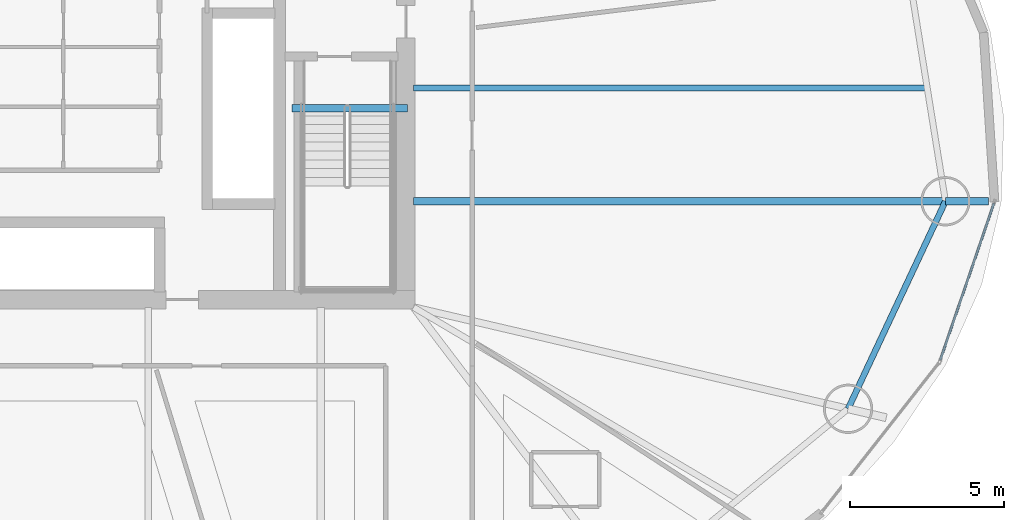
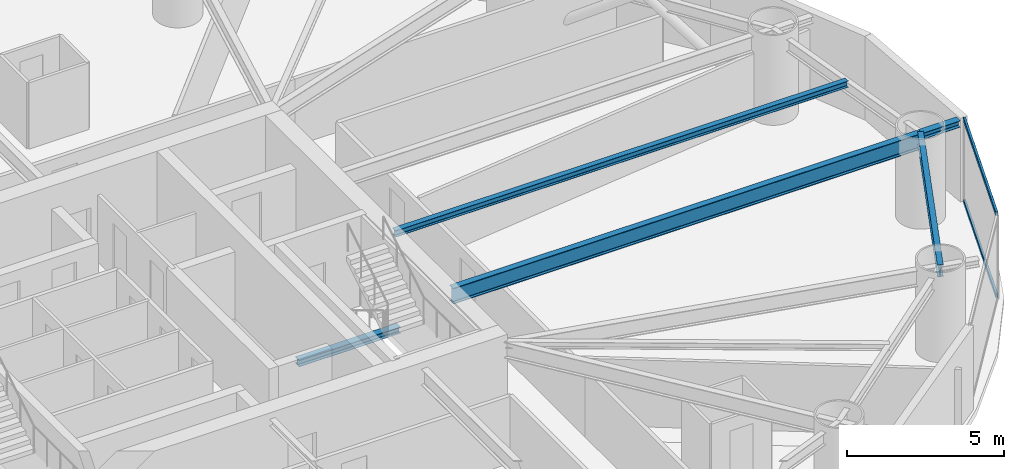
# One storey, part 8 of 23: 5 beams, 2 members, 1 element without a shape of its own.
"""IFC4 building model written with IfcOpenShell, lengths in metres."""

import ifcopenshell
import ifcopenshell.guid

model = None  # the IFC model being written
_history = None  # IfcOwnerHistory: only IFC2X3 demands one
_inside = {}  # id of a spatial element -> (the spatial element, [elements in it])
_under = {}  # id of a project, library or spatial element -> (it, [spatial elements below it])
_declared = {}  # id of a project -> (the project, [libraries it declares])
_typed = {}  # id of a type object -> (the type object, [elements of that type])
_made_of = {}  # id of a material, layer set ... -> (it, [elements and type objects made of it])


def new_model(schema):
    """Start an empty IFC model of exactly this schema.

    Asked for "IFC4X3", IfcOpenShell would pick the latest addendum, in which some entities
    have other attributes; the version numbers below select the first issue.
    IFC2X3 requires an IfcOwnerHistory on every rooted entity: one is made here for all.
    """
    global model, _history
    if schema == "IFC4X3":
        model = ifcopenshell.file(schema_version=(4, 3, 0, 0))
    else:
        model = ifcopenshell.file(schema=schema)
    _inside.clear()
    _under.clear()
    _declared.clear()
    _typed.clear()
    _made_of.clear()
    _history = None
    if model.schema == "IFC2X3":
        org = make("IfcOrganization", Name="unknown")
        user = make(
            "IfcPersonAndOrganization",
            ThePerson=make("IfcPerson", FamilyName="unknown"),
            TheOrganization=org,
        )
        app = make(
            "IfcApplication",
            ApplicationDeveloper=org,
            Version="unknown",
            ApplicationFullName="unknown",
            ApplicationIdentifier="unknown",
        )
        _history = make(
            "IfcOwnerHistory",
            OwningUser=user,
            OwningApplication=app,
            ChangeAction="ADDED",
            CreationDate=0,
        )
    return model


def make(cls, **values):
    """One entity of the class cls with the attributes given. An attribute that is None is left unset."""
    return model.create_entity(
        cls, **{name: value for name, value in values.items() if value is not None}
    )


def rooted(cls, **values):
    """An entity with a GlobalId (a new one), such as an element, a storey or a relation."""
    return make(cls, GlobalId=ifcopenshell.guid.new(), OwnerHistory=_history, **values)


def si_unit(unit_type, name, prefix=None):
    """IfcSIUnit, for example si_unit("LENGTHUNIT", "METRE", prefix="MILLI")."""
    return make("IfcSIUnit", UnitType=unit_type, Prefix=prefix, Name=name)


def assignment(units):
    """IfcUnitAssignment: the units of a project."""
    return None if units is None else make("IfcUnitAssignment", Units=units)


def point(xyz):
    """IfcCartesianPoint."""
    return None if xyz is None else make("IfcCartesianPoint", Coordinates=xyz)


def direction(xyz):
    """IfcDirection."""
    return None if xyz is None else make("IfcDirection", DirectionRatios=xyz)


def frame(location, z_axis=None, x_axis=None):
    """IfcAxis2Placement3D, a coordinate frame: its origin and axes. An axis left out is left unset."""
    return make(
        "IfcAxis2Placement3D",
        Location=point(location),
        Axis=direction(z_axis),
        RefDirection=direction(x_axis),
    )


def frame_2d(location, x_axis=None):
    """IfcAxis2Placement2D, a coordinate frame in the plane: its origin and x axis."""
    return make(
        "IfcAxis2Placement2D", Location=point(location), RefDirection=direction(x_axis)
    )


def origin():
    """The frame at (0, 0, 0) with its axes left unset."""
    return frame((0.0, 0.0, 0.0))


def origin_2d():
    """The frame at (0, 0) in the plane with its x axis left unset."""
    return frame_2d((0.0, 0.0))


def place(relative_to, where):
    """IfcLocalPlacement: puts the frame where relative to a parent placement (None: the world)."""
    return make(
        "IfcLocalPlacement", PlacementRelTo=relative_to, RelativePlacement=where
    )


def context(
    kind, dimensions, precision=None, world=None, true_north=None, identifier=None
):
    """IfcGeometricRepresentationContext, for example the 3D "Model" context."""
    return make(
        "IfcGeometricRepresentationContext",
        ContextIdentifier=identifier,
        ContextType=kind,
        CoordinateSpaceDimension=dimensions,
        Precision=precision,
        WorldCoordinateSystem=world,
        TrueNorth=true_north,
    )


def subcontext(parent, identifier, kind, view, scale=None):
    """IfcGeometricRepresentationSubContext, for example "Body" below "Model"."""
    return make(
        "IfcGeometricRepresentationSubContext",
        ContextIdentifier=identifier,
        ContextType=kind,
        ParentContext=parent,
        TargetScale=scale,
        TargetView=view,
    )


def project(units=None, contexts=None):
    """IfcProject with its units and contexts."""
    return rooted(
        "IfcProject",
        Name="project",
        RepresentationContexts=contexts,
        UnitsInContext=assignment(units),
    )


def spatial(cls, under=None, at=None, **own):
    """A site, building, storey or space (cls), placed at a placement, below another one or the project."""
    s = rooted(cls, ObjectPlacement=at, **own)
    if under is not None:
        _under.setdefault(under.id(), (under, []))[1].append(s)
    return s


def profile(cls, at=None, kind="AREA", **sizes):
    """A parametric profile (cls). Its sizes go by their IFC names, for example OverallWidth=200.0."""
    return make(cls, ProfileType=kind, Position=at, **sizes)


def hollow_rectangle(**sizes):
    """IfcRectangleHollowProfileDef."""
    return profile("IfcRectangleHollowProfileDef", **sizes)


def i_section(**sizes):
    """IfcIShapeProfileDef."""
    return profile("IfcIShapeProfileDef", **sizes)


def extrude(swept, where, along, depth):
    """IfcExtrudedAreaSolid: the profile swept, set in the frame where, extruded along a direction by depth."""
    return make(
        "IfcExtrudedAreaSolid",
        SweptArea=swept,
        Position=where,
        ExtrudedDirection=direction(along),
        Depth=depth,
    )


def shape(context_of_items, identifier, shape_type, items):
    """IfcShapeRepresentation: the items that make up one representation, for example the "Body"."""
    return make(
        "IfcShapeRepresentation",
        ContextOfItems=context_of_items,
        RepresentationIdentifier=identifier,
        RepresentationType=shape_type,
        Items=items,
    )


def material(Name=None, Category=None):
    """IfcMaterial."""
    return make("IfcMaterial", Name=Name, Category=Category)


def layer(
    of_material, thickness, ventilated=None, Name=None, Category=None, Priority=None
):
    """IfcMaterialLayer: one layer of a wall or slab, of a material (None: an air gap)."""
    return make(
        "IfcMaterialLayer",
        Material=of_material,
        LayerThickness=thickness,
        IsVentilated=ventilated,
        Name=Name,
        Category=Category,
        Priority=Priority,
    )


def layer_set(layers, Name=None):
    """IfcMaterialLayerSet."""
    return make("IfcMaterialLayerSet", MaterialLayers=layers, LayerSetName=Name)


def material_profile(
    of_material, cross_section, Name=None, Category=None, Priority=None
):
    """IfcMaterialProfile: a cross section and its material."""
    return make(
        "IfcMaterialProfile",
        Name=Name,
        Material=of_material,
        Profile=cross_section,
        Priority=Priority,
        Category=Category,
    )


def profile_set(profiles, Name=None, composite=None):
    """IfcMaterialProfileSet."""
    return make(
        "IfcMaterialProfileSet",
        Name=Name,
        MaterialProfiles=profiles,
        CompositeProfile=composite,
    )


def made_of(thing, what):
    """Note that an element or type object is made of a material, layer set ...; save() writes the relation."""
    if what is not None:
        _made_of.setdefault(what.id(), (what, []))[1].append(thing)
    return thing


def type_object(cls, material=None, **own):
    """A type object (cls), such as IfcWallType, which elements share."""
    return made_of(rooted(cls, **own), material)


def element(
    cls,
    number,
    at=None,
    inside=None,
    cuts=None,
    type_object=None,
    material=None,
    context=None,
    identifier="Body",
    shape_type=None,
    held_by="IfcProductDefinitionShape",
    body=None,
    shapes=None,
    **own,
):
    """One element of the class cls, such as IfcWall. Its Tag is "e" and its number.

    at: its placement. inside: the storey or other place that contains it. cuts: it is an
    opening in that element (IfcRelVoidsElement). A single representation is given by context,
    identifier, shape_type and body (its items); several are given by shapes. held_by: the class
    of the entity that holds the representations. save() writes the other relations.
    """
    e = rooted(cls, Tag="e%d" % number, ObjectPlacement=at, **own)
    if body is not None:
        shapes = [shape(context, identifier, shape_type, body)]
    if shapes is not None:
        e.Representation = make(held_by, Representations=shapes)
    if inside is not None:
        _inside.setdefault(inside.id(), (inside, []))[1].append(e)
    if cuts is not None:
        rooted(
            "IfcRelVoidsElement", RelatingBuildingElement=cuts, RelatedOpeningElement=e
        )
    if type_object is not None:
        _typed.setdefault(type_object.id(), (type_object, []))[1].append(e)
    return made_of(e, material)


def aggregate(whole, parts):
    """IfcRelAggregates: a whole, such as a stair, and the parts it consists of."""
    return rooted("IfcRelAggregates", RelatingObject=whole, RelatedObjects=parts)


def save(model, path):
    """Write the relations noted so far, then the file.

    IfcRelAggregates (storeys below a building ...), IfcRelContainedInSpatialStructure (elements
    in a storey), IfcRelDefinesByType, IfcRelAssociatesMaterial and IfcRelDeclares: one each for
    every whole, place, type object, material and project.
    """
    for whole, parts in _under.values():
        aggregate(whole, parts)
    for where, things in _inside.values():
        rooted(
            "IfcRelContainedInSpatialStructure",
            RelatedElements=things,
            RelatingStructure=where,
        )
    for kind, things in _typed.values():
        rooted("IfcRelDefinesByType", RelatedObjects=things, RelatingType=kind)
    for what, things in _made_of.values():
        rooted("IfcRelAssociatesMaterial", RelatedObjects=things, RelatingMaterial=what)
    for by, libraries in _declared.values():
        rooted("IfcRelDeclares", RelatingContext=by, RelatedDefinitions=libraries)
    model.write(path)


model = new_model("IFC4")

# Units and contexts
model_context = context("Model", 3, precision=1e-05, world=origin(), true_north=direction((0.0, 1.0)))
body_context = subcontext(model_context, "Body", "Model", "MODEL_VIEW")
ifc_project = project(units=[si_unit("LENGTHUNIT", "METRE"), si_unit("AREAUNIT", "SQUARE_METRE"), si_unit("VOLUMEUNIT", "CUBIC_METRE"), si_unit("PLANEANGLEUNIT", "RADIAN"), si_unit("MASSUNIT", "GRAM", prefix="KILO")], contexts=[model_context])

# Site, building, storey
site_placement = place(None, origin())
site = spatial("IfcSite", under=ifc_project, at=site_placement, CompositionType="ELEMENT")
building_placement = place(site_placement, origin())
building = spatial("IfcBuilding", under=site, at=building_placement, Name="Bramvorn Convention Spire", CompositionType="ELEMENT")
storey_placement = place(building_placement, frame((0.0, 0.0, 65.89990234375)))
storey = spatial("IfcBuildingStorey", under=building, at=storey_placement, Name="L14", CompositionType="ELEMENT", Elevation=65.89990234375)

# Beams
ifc_material_1 = material(Name="Steel CSA G40.21 Grade 350 (350W)", Category="steel")
ifc_material_profile_1 = material_profile(ifc_material_1, i_section(OverallWidth=0.201904296875, OverallDepth=0.2470703125, WebThickness=0.00732421875, FlangeThickness=0.010986328125, FilletRadius=0.011962890625, at=origin_2d()))
ifc_profile_set_1 = profile_set([ifc_material_profile_1], Name="Steel CSA G40.21 Grade 350 (350W) - W250X49")
beam_type_1 = type_object("IfcBeamType", Name="BM-W250X49", PredefinedType="JOIST", material=ifc_profile_set_1)
beam_1_placement = place(storey_placement, frame((49.25, 25.666015625, 3.126708984375), z_axis=(1.0, 0.0, 0.0), x_axis=(0.0, 1.0, 0.0)))
element("IfcBeam", 1, at=beam_1_placement, inside=storey, type_object=beam_type_1, Name="L14 composite floor joist 01", PredefinedType="JOIST", context=body_context, shape_type="SweptSolid", body=[
    extrude(i_section(OverallWidth=0.201904296875, OverallDepth=0.2470703125, WebThickness=0.00732421875, FlangeThickness=0.010986328125, FilletRadius=0.011962890625, at=origin_2d()), origin(), (0.0, 0.0, 1.0), 16.67919921875),
])
ifc_material_profile_2 = material_profile(ifc_material_1, i_section(OverallWidth=0.25390625, OverallDepth=0.2529296875, WebThickness=0.008544921875, FlangeThickness=0.01416015625, FilletRadius=0.011962890625, at=origin_2d()))
ifc_profile_set_2 = profile_set([ifc_material_profile_2], Name="Steel CSA G40.21 Grade 350 (350W) - W250X73")
beam_type_2 = type_object("IfcBeamType", Name="BM-W250X73", PredefinedType="BEAM", material=ifc_profile_set_2)
beam_2_placement = place(storey_placement, frame((66.519775390625, 21.99169921875, 3.12353515625), z_axis=(1.0, 0.0, 0.0), x_axis=(0.0, 1.0, 0.0)))
element("IfcBeam", 2, at=beam_2_placement, inside=storey, type_object=beam_type_2, Name="L14 slab-edge cantilever tip beam MC01", PredefinedType="BEAM", context=body_context, shape_type="SweptSolid", body=[
    extrude(i_section(OverallWidth=0.25390625, OverallDepth=0.2529296875, WebThickness=0.008544921875, FlangeThickness=0.01416015625, FilletRadius=0.011962890625, at=origin_2d()), origin(), (0.0, 0.0, 1.0), 1.39404296875),
])
beam_3_placement = place(storey_placement, frame((45.31005859375, 25.010009765625, -0.12646484375), z_axis=(1.0, 0.0, 0.0), x_axis=(0.0, 1.0, 0.0)))
element("IfcBeam", 3, at=beam_3_placement, inside=storey, type_object=beam_type_2, Name="L14 ST2 stair arrival header beam", PredefinedType="BEAM", context=body_context, shape_type="SweptSolid", body=[
    extrude(i_section(OverallWidth=0.25390625, OverallDepth=0.2529296875, WebThickness=0.008544921875, FlangeThickness=0.01416015625, FilletRadius=0.011962890625, at=origin_2d()), origin(), (0.0, 0.0, 1.0), 3.739990234375),
])
ifc_material_profile_3 = material_profile(ifc_material_1, i_section(OverallWidth=0.194091796875, OverallDepth=0.468994140625, WebThickness=0.0126953125, FlangeThickness=0.0205078125, FilletRadius=0.01806640625, at=origin_2d()))
ifc_profile_set_3 = profile_set([ifc_material_profile_3], Name="Steel CSA G40.21 Grade 350 (350W) - W460X106")
beam_type_3 = type_object("IfcBeamType", Name="BM-W460X106", PredefinedType="SPANDREL", material=ifc_profile_set_3)
beam_4_placement = place(storey_placement, frame((63.35888671875, 15.253662109375, 3.015625), z_axis=(0.424701955478, 0.9053332254, 0.0), x_axis=(-0.9053332254, 0.424701955478, 0.0)))
element("IfcBeam", 4, at=beam_4_placement, inside=storey, type_object=beam_type_3, Name="L14 mega-column ring beam 16", PredefinedType="SPANDREL", context=body_context, shape_type="SweptSolid", body=[
    extrude(i_section(OverallWidth=0.194091796875, OverallDepth=0.468994140625, WebThickness=0.0126953125, FlangeThickness=0.0205078125, FilletRadius=0.01806640625, at=origin_2d()), origin(), (0.0, 0.0, 1.0), 7.442626953125),
])
ifc_material_profile_4 = material_profile(ifc_material_1, i_section(OverallWidth=0.22998046875, OverallDepth=0.616943359375, WebThickness=0.01318359375, FlangeThickness=0.022216796875, FilletRadius=0.02001953125, at=origin_2d()))
ifc_profile_set_4 = profile_set([ifc_material_profile_4], Name="Steel CSA G40.21 Grade 350 (350W) - W610X140")
beam_type_4 = type_object("IfcBeamType", Name="BM-W610X140", PredefinedType="BEAM", material=ifc_profile_set_4)
beam_5_placement = place(storey_placement, frame((49.25, 21.99169921875, 2.941650390625), z_axis=(1.0, 0.0, 0.0), x_axis=(0.0, 1.0, 0.0)))
element("IfcBeam", 5, at=beam_5_placement, inside=storey, type_object=beam_type_4, Name="L14 radial floor girder MC01", PredefinedType="BEAM", context=body_context, shape_type="SweptSolid", body=[
    extrude(i_section(OverallWidth=0.22998046875, OverallDepth=0.616943359375, WebThickness=0.01318359375, FlangeThickness=0.022216796875, FilletRadius=0.02001953125, at=origin_2d()), origin(), (0.0, 0.0, 1.0), 17.269775390625),
])

# Curtain wall, members
ifc_material_2 = material(Name="Anodised Bronze Unitised Curtain Wall", Category="aluminium")
ifc_layer = layer(ifc_material_2, 0.179931640625)
ifc_layer_set = layer_set([ifc_layer], Name="Anodised Bronze Unitised Curtain Wall - CW-HTL-FRIT")
curtain_wall_type = type_object("IfcCurtainWallType", Name="CW-HTL-FRIT", PredefinedType="USERDEFINED", material=ifc_layer_set)
curtain_wall_placement = place(storey_placement, origin())
curtain_wall = element("IfcCurtainWall", 6, at=curtain_wall_placement, inside=storey, type_object=curtain_wall_type, Name="L14 fritted glass curtain wall 24", ObjectType="UNITISED CURTAIN WALL", PredefinedType="USERDEFINED")
ifc_material_3 = material(Name="Anodised Bronze Aluminium 6063-T6", Category="aluminium")
ifc_material_profile_5 = material_profile(ifc_material_3, hollow_rectangle(XDim=0.080078125, YDim=0.159912109375, WallThickness=0.00390625, InnerFilletRadius=0.0009765625, OuterFilletRadius=0.00390625, at=origin_2d()))
ifc_profile_set_5 = profile_set([ifc_material_profile_5], Name="Anodised Bronze Aluminium 6063-T6 - CWT80X160")
member_type = type_object("IfcMemberType", Name="CW-TRN-150", PredefinedType="USERDEFINED", material=ifc_profile_set_5)
member_1_placement = place(storey_placement, frame((68.09375, 21.92529296875, 0.030029296875), z_axis=(-0.323709070644, -0.946156666511, 0.0), x_axis=(0.946156666511, -0.323709070644, 0.0)))
member_1 = element("IfcMember", 7, at=member_1_placement, type_object=member_type, Name="CW2 transom 1.1", ObjectType="TRANSOM", PredefinedType="USERDEFINED", context=body_context, shape_type="SweptSolid", body=[
    extrude(hollow_rectangle(XDim=0.080078125, YDim=0.159912109375, WallThickness=0.00390625, InnerFilletRadius=0.0009765625, OuterFilletRadius=0.00390625, at=origin_2d()), origin(), (0.0, 0.0, 1.0), 5.37744140625),
])
member_2_placement = place(storey_placement, frame((68.09375, 21.92529296875, 3.22021484375), z_axis=(-0.323709070644, -0.946156666511, 0.0), x_axis=(0.946156666511, -0.323709070644, 0.0)))
member_2 = element("IfcMember", 8, at=member_2_placement, type_object=member_type, Name="CW2 transom 1.2", ObjectType="TRANSOM", PredefinedType="USERDEFINED", context=body_context, shape_type="SweptSolid", body=[
    extrude(hollow_rectangle(XDim=0.080078125, YDim=0.159912109375, WallThickness=0.00390625, InnerFilletRadius=0.0009765625, OuterFilletRadius=0.00390625, at=origin_2d()), origin(), (0.0, 0.0, 1.0), 5.37744140625),
])
aggregate(curtain_wall, [member_1, member_2])

save(model, "model.ifc")
